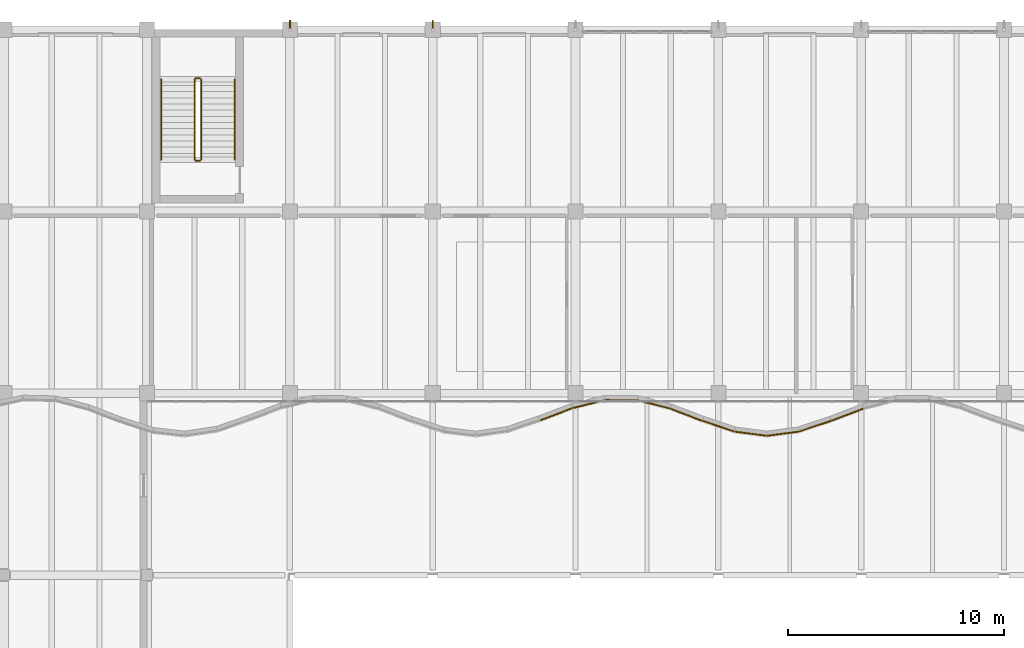
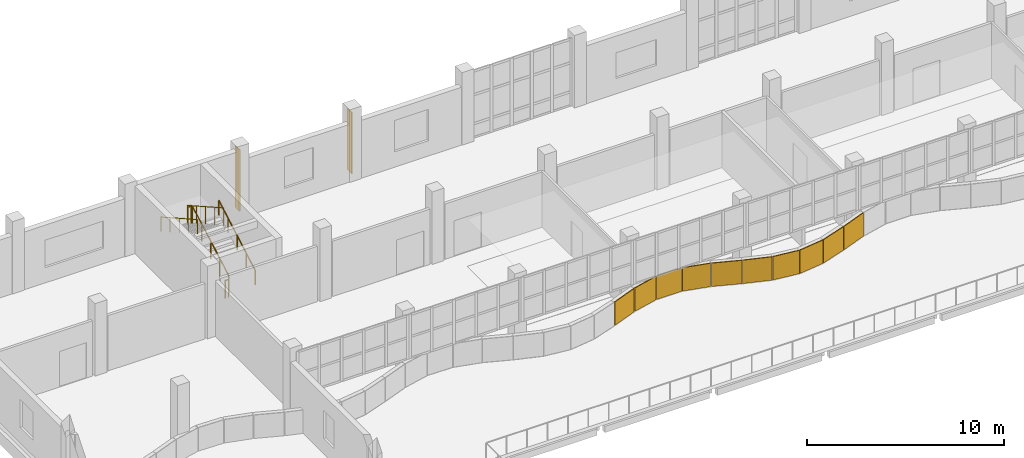
# One storey, part 75 of 83: 10 coverings, 6 railings, 2 shading devices.
"""IFC4 building model written with IfcOpenShell, lengths in metres."""

from ifc_helpers import new_model, si_unit, direction, frame, origin, origin_2d, place, context, subcontext, project, spatial, rectangle, circle, extrude, material, layer, layer_set, type_object, element, save


model = new_model("IFC4")

# Units and contexts
model_context = context("Model", 3, precision=1e-05, world=origin(), true_north=direction((0.0, 1.0)))
body_context = subcontext(model_context, "Body", "Model", "MODEL_VIEW")
ifc_project = project(units=[si_unit("LENGTHUNIT", "METRE"), si_unit("AREAUNIT", "SQUARE_METRE"), si_unit("VOLUMEUNIT", "CUBIC_METRE"), si_unit("PLANEANGLEUNIT", "RADIAN"), si_unit("MASSUNIT", "GRAM", prefix="KILO")], contexts=[model_context])

# Site, building, storey
site_placement = place(None, origin())
site = spatial("IfcSite", under=ifc_project, at=site_placement, CompositionType="ELEMENT")
building_placement = place(site_placement, origin())
building = spatial("IfcBuilding", under=site, at=building_placement, Name="Qaldarim Faculty of Natural and Applied Sciences", CompositionType="ELEMENT")
storey_placement = place(building_placement, frame((0.0, 0.0, 5.39990234375)))
storey = spatial("IfcBuildingStorey", under=building, at=storey_placement, Name="L01", CompositionType="ELEMENT", Elevation=5.39990234375)

# Railings
ifc_material_1 = material(Name="Architectural stainless steel 316", Category="steel")
railing_type_1 = type_object("IfcRailingType", Name="GuardBalustrade-1100", PredefinedType="BALUSTRADE", material=ifc_material_1)
railing_1_placement = place(storey_placement, frame((48.699951171875, 111.60009765625, 0.16015625)))
element("IfcRailing", 1, at=railing_1_placement, inside=storey, type_object=railing_type_1, Name="ST-B2 L01 stair well guard 1", PredefinedType="BALUSTRADE", context=body_context, shape_type="SweptSolid", body=[
    extrude(circle(Radius=0.02392578125, at=origin_2d()), frame((0.0, 0.0, 1.076171875), z_axis=(0.0, 0.87098476549, 0.491310022576), x_axis=(-1.0, 0.0, 0.0)), (0.0, 0.0, 1.0), 4.253662109375),
    extrude(circle(Radius=0.02099609375, at=origin_2d()), origin(), (0.0, 0.0, 1.0), 1.052001953125),
    extrude(circle(Radius=0.02099609375, at=origin_2d()), frame((0.0, 0.92626953125, 0.5224609375)), (0.0, 0.0, 1.0), 1.052001953125),
    extrude(circle(Radius=0.02099609375, at=origin_2d()), frame((0.0, 1.8525390625, 1.044921875)), (0.0, 0.0, 1.0), 1.052001953125),
    extrude(circle(Radius=0.02099609375, at=origin_2d()), frame((0.0, 2.778564453125, 1.5673828125)), (0.0, 0.0, 1.0), 1.052001953125),
    extrude(circle(Radius=0.02099609375, at=origin_2d()), frame((0.0, 3.704833984375, 2.08984375)), (0.0, 0.0, 1.0), 1.052001953125),
])
railing_2_placement = place(storey_placement, frame((48.64990234375, 115.35498046875, 2.25)))
element("IfcRailing", 2, at=railing_2_placement, inside=storey, type_object=railing_type_1, Name="ST-B2 L01 stair well guard 2", PredefinedType="BALUSTRADE", context=body_context, shape_type="SweptSolid", body=[
    extrude(circle(Radius=0.02392578125, at=origin_2d()), frame((0.0, 0.0, 1.076171875), z_axis=(-1.0, 0.0, 0.0), x_axis=(0.0, -1.0, 0.0)), (0.0, 0.0, 1.0), 0.199951171875),
    extrude(circle(Radius=0.02099609375, at=origin_2d()), origin(), (0.0, 0.0, 1.0), 1.052001953125),
    extrude(circle(Radius=0.02099609375, at=origin_2d()), frame((-0.199951171875, 0.0, 0.0)), (0.0, 0.0, 1.0), 1.052001953125),
])
railing_3_placement = place(storey_placement, frame((48.39990234375, 115.304931640625, 2.41015625)))
element("IfcRailing", 3, at=railing_3_placement, inside=storey, type_object=railing_type_1, Name="ST-B2 L01 stair well guard 3", PredefinedType="BALUSTRADE", context=body_context, shape_type="SweptSolid", body=[
    extrude(circle(Radius=0.02392578125, at=origin_2d()), frame((0.0, 0.0, 1.076171875), z_axis=(0.0, -0.87098476549, 0.491310022576), x_axis=(1.0, 0.0, 0.0)), (0.0, 0.0, 1.0), 4.253662109375),
    extrude(circle(Radius=0.02099609375, at=origin_2d()), origin(), (0.0, 0.0, 1.0), 1.052001953125),
    extrude(circle(Radius=0.02099609375, at=origin_2d()), frame((0.0, -0.92626953125, 0.5224609375)), (0.0, 0.0, 1.0), 1.052001953125),
    extrude(circle(Radius=0.02099609375, at=origin_2d()), frame((0.0, -1.8525390625, 1.044921875)), (0.0, 0.0, 1.0), 1.052001953125),
    extrude(circle(Radius=0.02099609375, at=origin_2d()), frame((0.0, -2.778564453125, 1.5673828125)), (0.0, 0.0, 1.0), 1.052001953125),
    extrude(circle(Radius=0.02099609375, at=origin_2d()), frame((0.0, -3.704833984375, 2.08984375)), (0.0, 0.0, 1.0), 1.052001953125),
])
railing_4_placement = place(storey_placement, frame((48.64990234375, 111.550048828125, 0.0)))
element("IfcRailing", 4, at=railing_4_placement, inside=storey, type_object=railing_type_1, Name="ST-B2 L01 stair well guard 4", PredefinedType="BALUSTRADE", context=body_context, shape_type="SweptSolid", body=[
    extrude(circle(Radius=0.02392578125, at=origin_2d()), frame((0.0, 0.0, 1.076171875), z_axis=(-1.0, 0.0, 0.0), x_axis=(0.0, -1.0, 0.0)), (0.0, 0.0, 1.0), 0.199951171875),
    extrude(circle(Radius=0.02099609375, at=origin_2d()), origin(), (0.0, 0.0, 1.0), 1.052001953125),
    extrude(circle(Radius=0.02099609375, at=origin_2d()), frame((-0.199951171875, 0.0, 0.0)), (0.0, 0.0, 1.0), 1.052001953125),
])

# Coverings
ifc_material_2 = material(Name="White architectural precast concrete C40/50", Category="concrete")
ifc_layer_1 = layer(ifc_material_2, 0.06005859375)
ifc_layer_set_1 = layer_set([ifc_layer_1], Name="White architectural precast concrete C40/50")
covering_type = type_object("IfcCoveringType", Name="LimestoneSpandrelCladding-60", PredefinedType="CLADDING", material=ifc_layer_set_1)
covering_1_placement = place(storey_placement, frame((65.114990234375, 99.830078125, 0.0), z_axis=(0.0, 0.0, 1.0), x_axis=(0.934391133833, 0.356248802122, 0.0)))
element("IfcCovering", 5, at=covering_1_placement, inside=storey, type_object=covering_type, Name="White limestone wave band fascia L01 chord 22", PredefinedType="CLADDING", context=body_context, shape_type="SweptSolid", body=[
    extrude(rectangle(XDim=1.56005859375, YDim=0.06005859375, at=origin_2d()), origin(), (0.0, 0.0, 1.0), 1.449951171875),
])
covering_2_placement = place(storey_placement, frame((66.614990234375, 100.300048828125, 0.0), z_axis=(0.0, 0.0, 1.0), x_axis=(0.9714663887, 0.23717726625, 0.0)))
element("IfcCovering", 6, at=covering_2_placement, inside=storey, type_object=covering_type, Name="White limestone wave band fascia L01 chord 23", PredefinedType="CLADDING", context=body_context, shape_type="SweptSolid", body=[
    extrude(rectangle(XDim=1.5, YDim=0.06005859375, at=origin_2d()), origin(), (0.0, 0.0, 1.0), 1.449951171875),
])
covering_3_placement = place(storey_placement, frame((68.114990234375, 100.47998046875, 0.0), z_axis=(0.0, 0.0, 1.0), x_axis=(0.999977658071, -0.006684561253, 0.0)))
element("IfcCovering", 7, at=covering_3_placement, inside=storey, type_object=covering_type, Name="White limestone wave band fascia L01 chord 24", PredefinedType="CLADDING", context=body_context, shape_type="SweptSolid", body=[
    extrude(rectangle(XDim=1.455078125, YDim=0.06005859375, at=origin_2d()), origin(), (0.0, 0.0, 1.0), 1.449951171875),
])
covering_4_placement = place(storey_placement, frame((69.6201171875, 100.284912109375, 0.0), z_axis=(0.0, 0.0, 1.0), x_axis=(0.969183633805, -0.246339367468, 0.0)))
element("IfcCovering", 8, at=covering_4_placement, inside=storey, type_object=covering_type, Name="White limestone wave band fascia L01 chord 25", PredefinedType="CLADDING", context=body_context, shape_type="SweptSolid", body=[
    extrude(rectangle(XDim=1.5048828125, YDim=0.06005859375, at=origin_2d()), origin(), (0.0, 0.0, 1.0), 1.449951171875),
])
covering_5_placement = place(storey_placement, frame((71.1201171875, 99.804931640625, 0.0), z_axis=(0.0, 0.0, 1.0), x_axis=(0.934391133833, -0.356248802122, 0.0)))
element("IfcCovering", 9, at=covering_5_placement, inside=storey, type_object=covering_type, Name="White limestone wave band fascia L01 chord 26", PredefinedType="CLADDING", context=body_context, shape_type="SweptSolid", body=[
    extrude(rectangle(XDim=1.56005859375, YDim=0.06005859375, at=origin_2d()), origin(), (0.0, 0.0, 1.0), 1.449951171875),
])
covering_6_placement = place(storey_placement, frame((72.610107421875, 99.27490234375, 0.0), z_axis=(0.0, 0.0, 1.0), x_axis=(0.948046393597, -0.318132103987, 0.0)))
element("IfcCovering", 10, at=covering_6_placement, inside=storey, type_object=covering_type, Name="White limestone wave band fascia L01 chord 27", PredefinedType="CLADDING", context=body_context, shape_type="SweptSolid", body=[
    extrude(rectangle(XDim=1.530029296875, YDim=0.06005859375, at=origin_2d()), origin(), (0.0, 0.0, 1.0), 1.449951171875),
])
for number, where, z_axis, x_axis, name in (
    (11, (74.10009765625, 98.929931640625, 0.0), (0.0, 0.0, 1.0), (0.991601332113, -0.129332123433, 0.0), "White limestone wave band fascia L01 chord 28"),
    (12, (75.580078125, 98.929931640625, 0.0), (0.0, 0.0, 1.0), (0.991169313675, 0.132602381688, 0.0), "White limestone wave band fascia L01 chord 29"),
):
    element("IfcCovering", number, at=place(storey_placement, frame(where, z_axis=z_axis, x_axis=x_axis)), inside=storey, type_object=covering_type, Name=name, PredefinedType="CLADDING", context=body_context, shape_type="SweptSolid", body=[
        extrude(rectangle(XDim=1.469970703125, YDim=0.06005859375, at=origin_2d()), origin(), (0.0, 0.0, 1.0), 1.449951171875),
    ])
covering_7_placement = place(storey_placement, frame((77.070068359375, 99.280029296875, 0.0), z_axis=(0.0, 0.0, 1.0), x_axis=(0.94836795005, 0.317172242351, 0.0)))
element("IfcCovering", 13, at=covering_7_placement, inside=storey, type_object=covering_type, Name="White limestone wave band fascia L01 chord 30", PredefinedType="CLADDING", context=body_context, shape_type="SweptSolid", body=[
    extrude(rectangle(XDim=1.534912109375, YDim=0.06005859375, at=origin_2d()), origin(), (0.0, 0.0, 1.0), 1.449951171875),
])
covering_8_placement = place(storey_placement, frame((78.56494140625, 99.81005859375, 0.0), z_axis=(0.0, 0.0, 1.0), x_axis=(0.934391133833, 0.356248802122, 0.0)))
element("IfcCovering", 14, at=covering_8_placement, inside=storey, type_object=covering_type, Name="White limestone wave band fascia L01 chord 31", PredefinedType="CLADDING", context=body_context, shape_type="SweptSolid", body=[
    extrude(rectangle(XDim=1.56005859375, YDim=0.06005859375, at=origin_2d()), origin(), (0.0, 0.0, 1.0), 1.449951171875),
])

# Railings
railing_type_2 = type_object("IfcRailingType", Name="StairHandrail-920", PredefinedType="HANDRAIL", material=ifc_material_1)
railing_5_placement = place(storey_placement, frame((50.25, 111.60009765625, 0.16015625)))
element("IfcRailing", 15, at=railing_5_placement, inside=storey, type_object=railing_type_2, Name="ST-B2 L01 stair handrail 1", PredefinedType="HANDRAIL", context=body_context, shape_type="SweptSolid", body=[
    extrude(circle(Radius=0.02392578125, at=origin_2d()), frame((0.0, 0.0, 0.89599609375), z_axis=(0.0, 0.87098476549, 0.491310022576), x_axis=(-1.0, 0.0, 0.0)), (0.0, 0.0, 1.0), 4.253662109375),
    extrude(circle(Radius=0.02099609375, at=origin_2d()), origin(), (0.0, 0.0, 1.0), 0.871826171875),
    extrude(circle(Radius=0.02099609375, at=origin_2d()), frame((0.0, 0.92626953125, 0.5224609375)), (0.0, 0.0, 1.0), 0.871826171875),
    extrude(circle(Radius=0.02099609375, at=origin_2d()), frame((0.0, 1.8525390625, 1.044921875)), (0.0, 0.0, 1.0), 0.871826171875),
    extrude(circle(Radius=0.02099609375, at=origin_2d()), frame((0.0, 2.778564453125, 1.5673828125)), (0.0, 0.0, 1.0), 0.871826171875),
    extrude(circle(Radius=0.02099609375, at=origin_2d()), frame((0.0, 3.704833984375, 2.08984375)), (0.0, 0.0, 1.0), 0.871826171875),
])
railing_6_placement = place(storey_placement, frame((46.85009765625, 115.304931640625, 2.41015625)))
element("IfcRailing", 16, at=railing_6_placement, inside=storey, type_object=railing_type_2, Name="ST-B2 L01 stair handrail 2", PredefinedType="HANDRAIL", context=body_context, shape_type="SweptSolid", body=[
    extrude(circle(Radius=0.02392578125, at=origin_2d()), frame((0.0, 0.0, 0.89599609375), z_axis=(0.0, -0.87098476549, 0.491310022576), x_axis=(1.0, 0.0, 0.0)), (0.0, 0.0, 1.0), 4.253662109375),
    extrude(circle(Radius=0.02099609375, at=origin_2d()), origin(), (0.0, 0.0, 1.0), 0.871826171875),
    extrude(circle(Radius=0.02099609375, at=origin_2d()), frame((0.0, -0.92626953125, 0.5224609375)), (0.0, 0.0, 1.0), 0.871826171875),
    extrude(circle(Radius=0.02099609375, at=origin_2d()), frame((0.0, -1.8525390625, 1.044921875)), (0.0, 0.0, 1.0), 0.871826171875),
    extrude(circle(Radius=0.02099609375, at=origin_2d()), frame((0.0, -2.778564453125, 1.5673828125)), (0.0, 0.0, 1.0), 0.871826171875),
    extrude(circle(Radius=0.02099609375, at=origin_2d()), frame((0.0, -3.704833984375, 2.08984375)), (0.0, 0.0, 1.0), 0.871826171875),
])

# Shading devices
ifc_material_3 = material(Name="Champagne anodised aluminium AW-6063", Category="aluminium")
ifc_layer_2 = layer(ifc_material_3, 0.06005859375)
ifc_layer_set_2 = layer_set([ifc_layer_2], Name="Champagne anodised aluminium AW-6063")
shading_device_type = type_object("IfcShadingDeviceType", Name="VerticalSunFin-ALU450x60", PredefinedType="SHUTTER", material=ifc_layer_set_2)
for number, where, z_axis, x_axis, name in (
    (17, (52.800048828125, 117.824951171875, 0.2001953125), (0.0, 0.0, 1.0), (1.0, 0.0, 0.0), "North pier fin FIN-V4N-L01-X09"),
    (18, (59.39990234375, 117.824951171875, 0.2001953125), (0.0, 0.0, 1.0), (1.0, 0.0, 0.0), "North pier fin FIN-V4N-L01-X10"),
):
    element("IfcShadingDevice", number, at=place(storey_placement, frame(where, z_axis=z_axis, x_axis=x_axis)), inside=storey, type_object=shading_device_type, Name=name, PredefinedType="SHUTTER", context=body_context, shape_type="SweptSolid", body=[
        extrude(rectangle(XDim=0.06005859375, YDim=0.449951171875, at=origin_2d()), origin(), (0.0, 0.0, 1.0), 3.800048828125),
    ])

save(model, "model.ifc")
